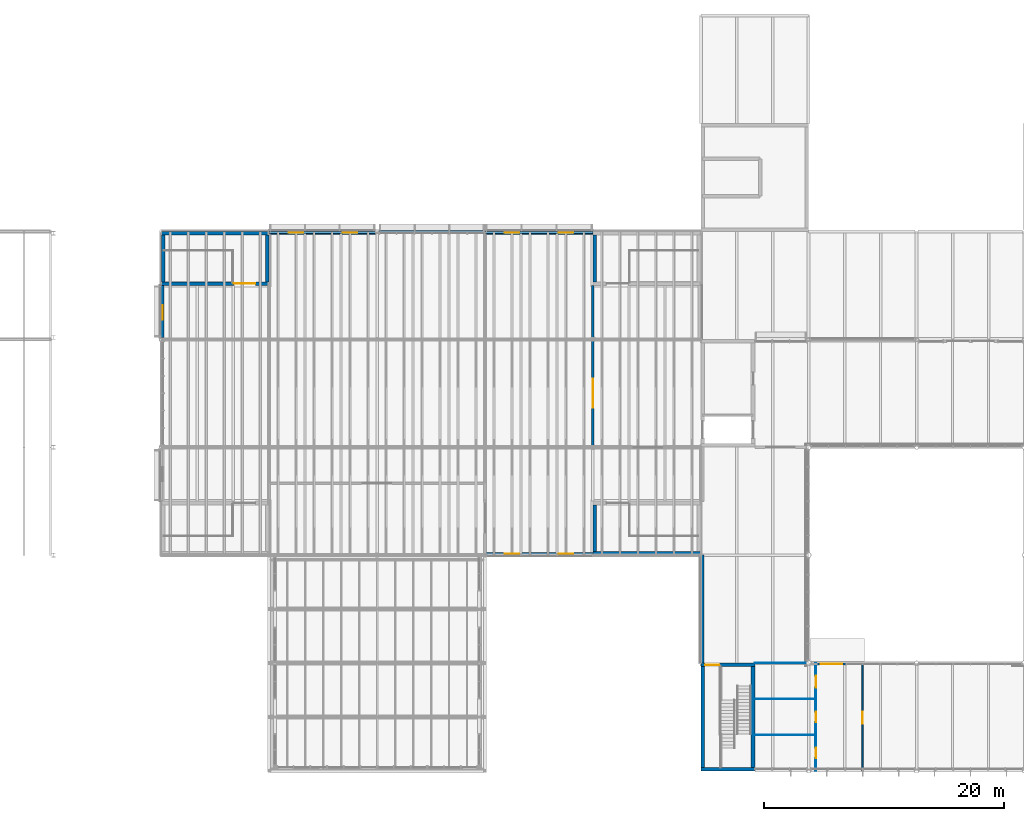
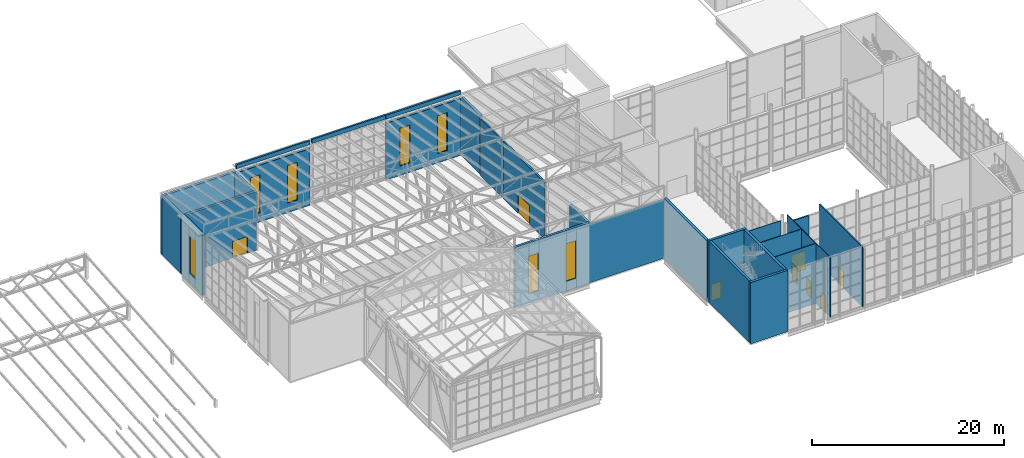
# One storey, part 75 of 90: 29 walls, 8 doors, 7 windows, 15 openings.
"""IFC4 building model written with IfcOpenShell, lengths in metres."""

from ifc_helpers import new_model, si_unit, direction, frame, frame_2d, origin, place, context, subcontext, project, spatial, rectangle, extrude, material, layer, layer_set, type_object, element, fill, save


model = new_model("IFC4")

# Units and contexts
model_context = context("Model", 3, precision=1e-05, world=origin(), true_north=direction((0.0, 1.0)))
body_context = subcontext(model_context, "Body", "Model", "MODEL_VIEW")
ifc_project = project(units=[si_unit("LENGTHUNIT", "METRE"), si_unit("AREAUNIT", "SQUARE_METRE"), si_unit("VOLUMEUNIT", "CUBIC_METRE"), si_unit("PLANEANGLEUNIT", "RADIAN"), si_unit("MASSUNIT", "GRAM", prefix="KILO")], contexts=[model_context])

# Site, building, storey
site_placement = place(None, origin())
site = spatial("IfcSite", under=ifc_project, at=site_placement, CompositionType="ELEMENT")
building_placement = place(site_placement, origin())
building = spatial("IfcBuilding", under=site, at=building_placement, Name="Halyard Row Museum", CompositionType="ELEMENT")
storey_placement = place(building_placement, frame((0.0, 0.0, 13.39990234375)))
storey = spatial("IfcBuildingStorey", under=building, at=storey_placement, Name="L03", CompositionType="ELEMENT", Elevation=13.39990234375)

# Wall
ifc_material_1 = material(Name="Timber battens on insulated steel-stud wall", Category="steel")
ifc_layer_1 = layer(ifc_material_1, 0.320068359375)
ifc_layer_set_1 = layer_set([ifc_layer_1], Name="Timber battens on insulated steel-stud wall")
wall_type_1 = type_object("IfcWallType", Name="Batten rainscreen wall 320 deep reveal", PredefinedType="SOLIDWALL", material=ifc_layer_set_1)
wall_1_placement = place(storey_placement, frame((72.10009765625, 9.0, 0.0), z_axis=(0.0, 0.0, 1.0), x_axis=(0.0, 1.0, 0.0)))
element("IfcWall", 1, at=wall_1_placement, inside=storey, type_object=wall_type_1, Name="Wall WL03-801", PredefinedType="SOLIDWALL", context=body_context, shape_type="SweptSolid", body=[
    extrude(rectangle(XDim=9.0, YDim=0.320068359375, at=frame_2d((4.5, 0.0))), origin(), (0.0, 0.0, 1.0), 7.635009765625),
])

# Wall, opening, door
ifc_material_2 = material(Name="Concrete 40 MPa", Category="concrete")
ifc_layer_2 = layer(ifc_material_2, 0.300048828125)
ifc_layer_set_2 = layer_set([ifc_layer_2], Name="Concrete 40 MPa")
wall_type_2 = type_object("IfcWallType", Name="Exitway wall 300 reinforced concrete", PredefinedType="SOLIDWALL", material=ifc_layer_set_2)
wall_2_placement = place(storey_placement, frame((27.0, 40.64990234375, 0.0), z_axis=(0.0, 0.0, 1.0), x_axis=(1.0, 0.0, 0.0)))
wall_2 = element("IfcWall", 2, at=wall_2_placement, inside=storey, type_object=wall_type_2, Name="Core wall K1A S L03", PredefinedType="SOLIDWALL", context=body_context, shape_type="SweptSolid", body=[
    extrude(rectangle(XDim=9.0, YDim=0.300048828125, at=frame_2d((4.5, 0.0))), origin(), (0.0, 0.0, 1.0), 7.42822265625),
])
opening_1_placement = place(wall_2_placement, frame((6.050048828125, 0.0, 0.0)))
opening_1 = element("IfcOpeningElement", 3, at=opening_1_placement, cuts=wall_2, Name="Opening DL03-001", PredefinedType="OPENING", context=body_context, shape_type="SweptSolid", body=[
    extrude(rectangle(XDim=1.800048828125, YDim=2.10009765625, at=frame_2d((0.89990234375, 1.050048828125))), frame((0.0, 0.159912109375, 0.0), z_axis=(0.0, -1.0, 0.0), x_axis=(1.0, 0.0, 0.0)), (0.0, 0.0, 1.0), 0.320068359375),
])
ifc_material_3 = material(Name="Fire-resisting timber door leaf and steel frame", Category="steel")
door_type_1 = type_object("IfcDoorType", Name="Exitway door 1800 x 2100 fire rated", OperationType="NOTDEFINED", PredefinedType="DOOR", material=ifc_material_3)
door_1_placement = place(opening_1_placement, origin())
door_1 = element("IfcDoor", 4, at=door_1_placement, inside=storey, type_object=door_type_1, Name="Exitway door K1A L03", OperationType="DOUBLE_DOOR_SINGLE_SWING", OverallHeight=2.10009765625, OverallWidth=1.800048828125, PredefinedType="DOOR", context=body_context, shape_type="SweptSolid", body=[
    extrude(rectangle(XDim=1.800048828125, YDim=2.10009765625, at=frame_2d((0.89990234375, 1.050048828125))), frame((0.0, 0.02490234375, 0.0), z_axis=(0.0, -1.0, 0.0), x_axis=(1.0, 0.0, 0.0)), (0.0, 0.0, 1.0), 0.050048828125),
])
fill(opening_1, door_1)

# Walls
wall_3_placement = place(storey_placement, frame((35.85009765625, 40.800048828125, 0.0), z_axis=(0.0, 0.0, 1.0), x_axis=(0.0, 1.0, 0.0)))
element("IfcWall", 5, at=wall_3_placement, inside=storey, type_object=wall_type_2, Name="Core wall K1A E L03", PredefinedType="SOLIDWALL", context=body_context, shape_type="SweptSolid", body=[
    extrude(rectangle(XDim=3.89990234375, YDim=0.300048828125, at=frame_2d((1.949951171875, 0.0))), origin(), (0.0, 0.0, 1.0), 7.42822265625),
])
wall_4_placement = place(storey_placement, frame((27.0, 44.85009765625, 0.0), z_axis=(0.0, 0.0, 1.0), x_axis=(1.0, 0.0, 0.0)))
element("IfcWall", 6, at=wall_4_placement, inside=storey, type_object=wall_type_2, Name="Core wall K1A N L03", PredefinedType="SOLIDWALL", context=body_context, shape_type="SweptSolid", body=[
    extrude(rectangle(XDim=9.0, YDim=0.300048828125, at=frame_2d((4.5, 0.0))), origin(), (0.0, 0.0, 1.0), 7.42822265625),
])
for number, where, z_axis, x_axis, name in (
    (7, (27.14990234375, 40.800048828125, 0.0), (0.0, 0.0, 1.0), (0.0, 1.0, 0.0), "Core wall K1A W L03"),
    (8, (63.14990234375, 40.800048828125, 0.0), (0.0, 0.0, 1.0), (0.0, 1.0, 0.0), "Core wall K1B W L03"),
):
    element("IfcWall", number, at=place(storey_placement, frame(where, z_axis=z_axis, x_axis=x_axis)), inside=storey, type_object=wall_type_2, Name=name, PredefinedType="SOLIDWALL", context=body_context, shape_type="SweptSolid", body=[
        extrude(rectangle(XDim=3.89990234375, YDim=0.300048828125, at=frame_2d((1.949951171875, 0.0))), origin(), (0.0, 0.0, 1.0), 7.42822265625),
    ])
wall_5_placement = place(storey_placement, frame((63.0, 18.14990234375, 0.0), z_axis=(0.0, 0.0, 1.0), x_axis=(1.0, 0.0, 0.0)))
element("IfcWall", 9, at=wall_5_placement, inside=storey, type_object=wall_type_2, Name="Core wall K1C S L03", PredefinedType="SOLIDWALL", context=body_context, shape_type="SweptSolid", body=[
    extrude(rectangle(XDim=9.0, YDim=0.300048828125, at=frame_2d((4.5, 0.0))), origin(), (0.0, 0.0, 1.0), 7.42822265625),
])
wall_6_placement = place(storey_placement, frame((63.14990234375, 18.300048828125, 0.0), z_axis=(0.0, 0.0, 1.0), x_axis=(0.0, 1.0, 0.0)))
element("IfcWall", 10, at=wall_6_placement, inside=storey, type_object=wall_type_2, Name="Core wall K1C W L03", PredefinedType="SOLIDWALL", context=body_context, shape_type="SweptSolid", body=[
    extrude(rectangle(XDim=3.89990234375, YDim=0.300048828125, at=frame_2d((1.949951171875, 0.0))), origin(), (0.0, 0.0, 1.0), 7.42822265625),
])
wall_7_placement = place(storey_placement, frame((72.0, 0.14990234375, 0.0), z_axis=(0.0, 0.0, 1.0), x_axis=(1.0, 0.0, 0.0)))
element("IfcWall", 11, at=wall_7_placement, inside=storey, type_object=wall_type_2, Name="Core wall K2A S L03", PredefinedType="SOLIDWALL", context=body_context, shape_type="SweptSolid", body=[
    extrude(rectangle(XDim=4.5, YDim=0.300048828125, at=frame_2d((2.25, 0.0))), origin(), (0.0, 0.0, 1.0), 7.800048828125),
])
wall_8_placement = place(storey_placement, frame((76.35009765625, 0.300048828125, 0.0), z_axis=(0.0, 0.0, 1.0), x_axis=(0.0, 1.0, 0.0)))
element("IfcWall", 12, at=wall_8_placement, inside=storey, type_object=wall_type_2, Name="Core wall K2A E L03", PredefinedType="SOLIDWALL", context=body_context, shape_type="SweptSolid", body=[
    extrude(rectangle(XDim=8.39990234375, YDim=0.300048828125, at=frame_2d((4.199951171875, 0.0))), origin(), (0.0, 0.0, 1.0), 7.800048828125),
])

# Wall, opening, door
wall_9_placement = place(storey_placement, frame((72.0, 8.85009765625, 0.0), z_axis=(0.0, 0.0, 1.0), x_axis=(1.0, 0.0, 0.0)))
wall_9 = element("IfcWall", 13, at=wall_9_placement, inside=storey, type_object=wall_type_2, Name="Core wall K2A N L03", PredefinedType="SOLIDWALL", context=body_context, shape_type="SweptSolid", body=[
    extrude(rectangle(XDim=4.5, YDim=0.300048828125, at=frame_2d((2.25, 0.0))), origin(), (0.0, 0.0, 1.0), 7.800048828125),
])
opening_2_placement = place(wall_9_placement, frame((0.35009765625, 0.0, 0.0)))
opening_2 = element("IfcOpeningElement", 14, at=opening_2_placement, cuts=wall_9, Name="Opening DL03-005", PredefinedType="OPENING", context=body_context, shape_type="SweptSolid", body=[
    extrude(rectangle(XDim=1.199951171875, YDim=2.10009765625, at=frame_2d((0.60009765625, 1.050048828125))), frame((0.0, 0.159912109375, 0.0), z_axis=(0.0, -1.0, 0.0), x_axis=(1.0, 0.0, 0.0)), (0.0, 0.0, 1.0), 0.320068359375),
])
ifc_material_4 = material(Name="Fire-resisting timber door leaf and steel frame", Category="steel")
door_type_2 = type_object("IfcDoorType", Name="Exitway door 1200 x 2100 fire rated", OperationType="NOTDEFINED", PredefinedType="DOOR", material=ifc_material_4)
door_2_placement = place(opening_2_placement, frame((1.199951171875, 0.0, 0.0), z_axis=(0.0, 0.0, 1.0), x_axis=(-1.0, 0.0, 0.0)))
door_2 = element("IfcDoor", 15, at=door_2_placement, inside=storey, type_object=door_type_2, Name="Exitway door K2A L03", OperationType="SINGLE_SWING_LEFT", OverallHeight=2.10009765625, OverallWidth=1.199951171875, PredefinedType="DOOR", context=body_context, shape_type="SweptSolid", body=[
    extrude(rectangle(XDim=1.199951171875, YDim=2.10009765625, at=frame_2d((0.60009765625, 1.050048828125))), frame((0.0, 0.02490234375, 0.0), z_axis=(0.0, -1.0, 0.0), x_axis=(1.0, 0.0, 0.0)), (0.0, 0.0, 1.0), 0.050048828125),
])
fill(opening_2, door_2)

# Wall
wall_10_placement = place(storey_placement, frame((72.14990234375, 0.300048828125, 0.0), z_axis=(0.0, 0.0, 1.0), x_axis=(0.0, 1.0, 0.0)))
element("IfcWall", 16, at=wall_10_placement, inside=storey, type_object=wall_type_2, Name="Core wall K2A W L03", PredefinedType="SOLIDWALL", context=body_context, shape_type="SweptSolid", body=[
    extrude(rectangle(XDim=8.39990234375, YDim=0.300048828125, at=frame_2d((4.199951171875, 0.0))), origin(), (0.0, 0.0, 1.0), 7.800048828125),
])

# Wall, opening, door
ifc_material_5 = material(Name="Powder-coated aluminium section", Category="aluminium")
ifc_layer_3 = layer(ifc_material_5, 0.199951171875)
ifc_layer_set_3 = layer_set([ifc_layer_3], Name="Powder-coated aluminium section")
wall_type_3 = type_object("IfcWallType", Name="Fire-resisting screen frame 200", PredefinedType="SOLIDWALL", material=ifc_layer_set_3)
wall_11_placement = place(storey_placement, frame((81.699951171875, 8.919921875, 0.0), z_axis=(0.0, 0.0, 1.0), x_axis=(1.0, 0.0, 0.0)))
wall_11 = element("IfcWall", 17, at=wall_11_placement, inside=storey, type_object=wall_type_3, Name="Wall WL03-814", PredefinedType="SOLIDWALL", context=body_context, shape_type="SweptSolid", body=[
    extrude(rectangle(XDim=2.400146484375, YDim=0.199951171875, at=frame_2d((1.2001953125, 0.0))), origin(), (0.0, 0.0, 1.0), 6.732177734375),
])
opening_3_placement = place(wall_11_placement, frame((0.300048828125, 0.0, 0.0)))
opening_3 = element("IfcOpeningElement", 18, at=opening_3_placement, cuts=wall_11, Name="Opening DL03-402", PredefinedType="OPENING", context=body_context, shape_type="SweptSolid", body=[
    extrude(rectangle(XDim=1.800048828125, YDim=2.39990234375, at=frame_2d((0.89990234375, 1.199951171875))), frame((0.0, 0.10986328125, 0.0), z_axis=(0.0, -1.0, 0.0), x_axis=(1.0, 0.0, 0.0)), (0.0, 0.0, 1.0), 0.219970703125),
])
ifc_material_6 = material(Name="Powder-coated aluminium section", Category="aluminium")
door_type_3 = type_object("IfcDoorType", Name="Door DE4 atrium screen 1800 x 2400", OperationType="NOTDEFINED", PredefinedType="DOOR", material=ifc_material_6)
door_3_placement = place(opening_3_placement, frame((1.800048828125, 0.0, 0.0), z_axis=(0.0, 0.0, 1.0), x_axis=(-1.0, 0.0, 0.0)))
door_3 = element("IfcDoor", 19, at=door_3_placement, inside=storey, type_object=door_type_3, Name="Door DL03-402", OperationType="DOUBLE_DOOR_SINGLE_SWING", OverallHeight=2.39990234375, OverallWidth=1.800048828125, PredefinedType="DOOR", context=body_context, shape_type="SweptSolid", body=[
    extrude(rectangle(XDim=1.800048828125, YDim=2.39990234375, at=frame_2d((0.89990234375, 1.199951171875))), frame((0.0, 0.02490234375, 0.0), z_axis=(0.0, -1.0, 0.0), x_axis=(1.0, 0.0, 0.0)), (0.0, 0.0, 1.0), 0.050048828125),
])
fill(opening_3, door_3)

ifc_material_7 = material(Name="Plasterboard on steel studs with mineral wool", Category="steel")
ifc_layer_4 = layer(ifc_material_7, 0.199951171875)
ifc_layer_set_4 = layer_set([ifc_layer_4], Name="Plasterboard on steel studs with mineral wool")
wall_type_4 = type_object("IfcWallType", Name="Gallery wall 200 double stud fire rated", PredefinedType="PARTITIONING", material=ifc_layer_set_4)
wall_12_placement = place(storey_placement, frame((63.0, 27.154052734375, 0.0), z_axis=(0.0, 0.0, 1.0), x_axis=(0.0, 1.0, 0.0)))
wall_12 = element("IfcWall", 20, at=wall_12_placement, inside=storey, type_object=wall_type_4, Name="Partition Grand Gallery / Lift Lobby L03 West", PredefinedType="PARTITIONING", context=body_context, shape_type="SweptSolid", body=[
    extrude(rectangle(XDim=8.69189453125, YDim=0.199951171875, at=frame_2d((4.345947265625, 0.0))), origin(), (0.0, 0.0, 1.0), 7.232421875),
])
opening_4_placement = place(wall_12_placement, frame((3.14990234375, 0.0, 0.0)))
opening_4 = element("IfcOpeningElement", 21, at=opening_4_placement, cuts=wall_12, Name="Opening DL03-013", PredefinedType="OPENING", context=body_context, shape_type="SweptSolid", body=[
    extrude(rectangle(XDim=2.39990234375, YDim=2.39990234375, at=frame_2d((1.199951171875, 1.199951171875))), frame((0.0, 0.10986328125, 0.0), z_axis=(0.0, -1.0, 0.0), x_axis=(1.0, 0.0, 0.0)), (0.0, 0.0, 1.0), 0.219970703125),
])
ifc_material_8 = material(Name="Timber veneered door leaf and softwood frame", Category="wood")
door_type_4 = type_object("IfcDoorType", Name="Double door 2400 x 2400 gallery fire rated", OperationType="NOTDEFINED", PredefinedType="DOOR", material=ifc_material_8)
door_4_placement = place(opening_4_placement, origin())
door_4 = element("IfcDoor", 22, at=door_4_placement, inside=storey, type_object=door_type_4, Name="Door Grand Gallery to Lift Lobby L03 West", OperationType="DOUBLE_DOOR_SINGLE_SWING", OverallHeight=2.39990234375, OverallWidth=2.39990234375, PredefinedType="DOOR", context=body_context, shape_type="SweptSolid", body=[
    extrude(rectangle(XDim=2.39990234375, YDim=2.39990234375, at=frame_2d((1.199951171875, 1.199951171875))), frame((0.0, 0.02490234375, 0.0), z_axis=(0.0, -1.0, 0.0), x_axis=(1.0, 0.0, 0.0)), (0.0, 0.0, 1.0), 0.050048828125),
])
fill(opening_4, door_4)

# Walls
wall_13_placement = place(storey_placement, frame((63.0, 36.154052734375, 0.0), z_axis=(0.0, 0.0, 1.0), x_axis=(0.0, 1.0, 0.0)))
element("IfcWall", 23, at=wall_13_placement, inside=storey, type_object=wall_type_4, Name="Partition Grand Gallery / Lift Lobby L03 West", PredefinedType="PARTITIONING", context=body_context, shape_type="SweptSolid", body=[
    extrude(rectangle(XDim=4.345947265625, YDim=0.199951171875, at=frame_2d((2.1728515625, 0.0))), origin(), (0.0, 0.0, 1.0), 7.232421875),
])
ifc_material_9 = material(Name="Fire-retardant timber rainscreen on insulated steel-stud wall", Category="steel")
ifc_layer_5 = layer(ifc_material_9, 0.199951171875)
ifc_layer_set_5 = layer_set([ifc_layer_5], Name="Fire-retardant timber rainscreen on insulated steel-stud wall")
wall_type_5 = type_object("IfcWallType", Name="Parapet 200 timber-clad", PredefinedType="PARAPET", material=ifc_layer_set_5)
wall_14_placement = place(storey_placement, frame((54.0, 44.909912109375, 7.67822265625), z_axis=(0.0, 0.0, 1.0), x_axis=(1.0, 0.0, 0.0)))
element("IfcWall", 24, at=wall_14_placement, inside=storey, type_object=wall_type_5, Name="Wall PAL03-50", PredefinedType="PARAPET", context=body_context, shape_type="SweptSolid", body=[
    extrude(rectangle(XDim=9.0, YDim=0.199951171875, at=frame_2d((4.5, 0.0))), origin(), (0.0, 0.0, 1.0), 0.52197265625),
])
for number, where, z_axis, x_axis, name in (
    (25, (36.0, 44.909912109375, 7.67822265625), (0.0, 0.0, 1.0), (1.0, 0.0, 0.0), "Wall PAL03-51"),
    (26, (45.14990234375, 44.9599609375, 7.67822265625), (0.0, 0.0, 1.0), (1.0, 0.0, 0.0), "Wall PAL03-52"),
):
    element("IfcWall", number, at=place(storey_placement, frame(where, z_axis=z_axis, x_axis=x_axis)), inside=storey, type_object=wall_type_5, Name=name, PredefinedType="PARAPET", context=body_context, shape_type="SweptSolid", body=[
        extrude(rectangle(XDim=8.85009765625, YDim=0.199951171875, at=frame_2d((4.425048828125, 0.0))), origin(), (0.0, 0.0, 1.0), 0.52197265625),
    ])

# Wall, openings, windows
ifc_material_10 = material(Name="Fire-retardant timber rainscreen on insulated steel-stud wall", Category="steel")
ifc_layer_6 = layer(ifc_material_10, 0.300048828125)
ifc_layer_set_6 = layer_set([ifc_layer_6], Name="Fire-retardant timber rainscreen on insulated steel-stud wall")
wall_type_6 = type_object("IfcWallType", Name="Rainscreen wall 300 timber-clad", PredefinedType="SOLIDWALL", material=ifc_layer_set_6)
wall_15_placement = place(storey_placement, frame((54.0, 18.090087890625, 0.0), z_axis=(0.0, 0.0, 1.0), x_axis=(1.0, 0.0, 0.0)))
wall_15 = element("IfcWall", 27, at=wall_15_placement, inside=storey, type_object=wall_type_6, Name="Wall WL03-800", PredefinedType="SOLIDWALL", context=body_context, shape_type="SweptSolid", body=[
    extrude(rectangle(XDim=9.0, YDim=0.300048828125, at=frame_2d((4.5, 0.0))), origin(), (0.0, 0.0, 1.0), 7.67822265625),
])
opening_5_placement = place(wall_15_placement, frame((1.64990234375, 0.0, 1.199951171875)))
opening_5 = element("IfcOpeningElement", 28, at=opening_5_placement, cuts=wall_15, Name="Opening WNL03-800", PredefinedType="OPENING", context=body_context, shape_type="SweptSolid", body=[
    extrude(rectangle(XDim=1.199951171875, YDim=4.800048828125, at=frame_2d((0.60009765625, 2.39990234375))), frame((0.0, 0.159912109375, 0.0), z_axis=(0.0, -1.0, 0.0), x_axis=(1.0, 0.0, 0.0)), (0.0, 0.0, 1.0), 0.320068359375),
])
opening_6_placement = place(wall_15_placement, frame((6.14990234375, 0.0, 1.199951171875)))
opening_6 = element("IfcOpeningElement", 29, at=opening_6_placement, cuts=wall_15, Name="Opening WNL03-801", PredefinedType="OPENING", context=body_context, shape_type="SweptSolid", body=[
    extrude(rectangle(XDim=1.199951171875, YDim=4.800048828125, at=frame_2d((0.60009765625, 2.39990234375))), frame((0.0, 0.159912109375, 0.0), z_axis=(0.0, -1.0, 0.0), x_axis=(1.0, 0.0, 0.0)), (0.0, 0.0, 1.0), 0.320068359375),
])
ifc_material_11 = material(Name="Double glazed unit, low-emissivity", Category="glass")
window_type = type_object("IfcWindowType", Name="Window WN2 1200 x 4800", PartitioningType="SINGLE_PANEL", PredefinedType="WINDOW", material=ifc_material_11)
window_1_placement = place(opening_5_placement, origin())
window_1 = element("IfcWindow", 30, at=window_1_placement, inside=storey, type_object=window_type, Name="Window WNL03-800", OverallHeight=4.800048828125, OverallWidth=1.199951171875, PartitioningType="SINGLE_PANEL", PredefinedType="WINDOW", context=body_context, shape_type="SweptSolid", body=[
    extrude(rectangle(XDim=1.199951171875, YDim=4.800048828125, at=frame_2d((0.60009765625, 2.39990234375))), frame((0.0, 0.030029296875, 0.0), z_axis=(0.0, -1.0, 0.0), x_axis=(1.0, 0.0, 0.0)), (0.0, 0.0, 1.0), 0.06005859375),
])
fill(opening_5, window_1)
window_2_placement = place(opening_6_placement, origin())
window_2 = element("IfcWindow", 31, at=window_2_placement, inside=storey, type_object=window_type, Name="Window WNL03-801", OverallHeight=4.800048828125, OverallWidth=1.199951171875, PartitioningType="SINGLE_PANEL", PredefinedType="WINDOW", context=body_context, shape_type="SweptSolid", body=[
    extrude(rectangle(XDim=1.199951171875, YDim=4.800048828125, at=frame_2d((0.60009765625, 2.39990234375))), frame((0.0, 0.030029296875, 0.0), z_axis=(0.0, -1.0, 0.0), x_axis=(1.0, 0.0, 0.0)), (0.0, 0.0, 1.0), 0.06005859375),
])
fill(opening_6, window_2)

wall_16_placement = place(storey_placement, frame((54.0, 44.909912109375, 0.0), z_axis=(0.0, 0.0, 1.0), x_axis=(1.0, 0.0, 0.0)))
wall_16 = element("IfcWall", 32, at=wall_16_placement, inside=storey, type_object=wall_type_6, Name="Wall WL03-805", PredefinedType="SOLIDWALL", context=body_context, shape_type="SweptSolid", body=[
    extrude(rectangle(XDim=9.0, YDim=0.300048828125, at=frame_2d((4.5, 0.0))), origin(), (0.0, 0.0, 1.0), 7.2197265625),
])
opening_7_placement = place(wall_16_placement, frame((1.64990234375, 0.0, 1.199951171875)))
opening_7 = element("IfcOpeningElement", 33, at=opening_7_placement, cuts=wall_16, Name="Opening WNL03-802", PredefinedType="OPENING", context=body_context, shape_type="SweptSolid", body=[
    extrude(rectangle(XDim=1.199951171875, YDim=4.800048828125, at=frame_2d((0.60009765625, 2.39990234375))), frame((0.0, 0.159912109375, 0.0), z_axis=(0.0, -1.0, 0.0), x_axis=(1.0, 0.0, 0.0)), (0.0, 0.0, 1.0), 0.320068359375),
])
opening_8_placement = place(wall_16_placement, frame((6.14990234375, 0.0, 1.199951171875)))
opening_8 = element("IfcOpeningElement", 34, at=opening_8_placement, cuts=wall_16, Name="Opening WNL03-803", PredefinedType="OPENING", context=body_context, shape_type="SweptSolid", body=[
    extrude(rectangle(XDim=1.199951171875, YDim=4.800048828125, at=frame_2d((0.60009765625, 2.39990234375))), frame((0.0, 0.159912109375, 0.0), z_axis=(0.0, -1.0, 0.0), x_axis=(1.0, 0.0, 0.0)), (0.0, 0.0, 1.0), 0.320068359375),
])
window_3_placement = place(opening_7_placement, origin())
window_3 = element("IfcWindow", 35, at=window_3_placement, inside=storey, type_object=window_type, Name="Window WNL03-802", OverallHeight=4.800048828125, OverallWidth=1.199951171875, PartitioningType="SINGLE_PANEL", PredefinedType="WINDOW", context=body_context, shape_type="SweptSolid", body=[
    extrude(rectangle(XDim=1.199951171875, YDim=4.800048828125, at=frame_2d((0.60009765625, 2.39990234375))), frame((0.0, 0.030029296875, 0.0), z_axis=(0.0, -1.0, 0.0), x_axis=(1.0, 0.0, 0.0)), (0.0, 0.0, 1.0), 0.06005859375),
])
fill(opening_7, window_3)
window_4_placement = place(opening_8_placement, origin())
window_4 = element("IfcWindow", 36, at=window_4_placement, inside=storey, type_object=window_type, Name="Window WNL03-803", OverallHeight=4.800048828125, OverallWidth=1.199951171875, PartitioningType="SINGLE_PANEL", PredefinedType="WINDOW", context=body_context, shape_type="SweptSolid", body=[
    extrude(rectangle(XDim=1.199951171875, YDim=4.800048828125, at=frame_2d((0.60009765625, 2.39990234375))), frame((0.0, 0.030029296875, 0.0), z_axis=(0.0, -1.0, 0.0), x_axis=(1.0, 0.0, 0.0)), (0.0, 0.0, 1.0), 0.06005859375),
])
fill(opening_8, window_4)

wall_17_placement = place(storey_placement, frame((36.0, 44.909912109375, 0.0), z_axis=(0.0, 0.0, 1.0), x_axis=(1.0, 0.0, 0.0)))
wall_17 = element("IfcWall", 37, at=wall_17_placement, inside=storey, type_object=wall_type_6, Name="Wall WL03-806", PredefinedType="SOLIDWALL", context=body_context, shape_type="SweptSolid", body=[
    extrude(rectangle(XDim=8.85009765625, YDim=0.300048828125, at=frame_2d((4.425048828125, 0.0))), origin(), (0.0, 0.0, 1.0), 7.2197265625),
])
opening_9_placement = place(wall_17_placement, frame((1.64990234375, 0.0, 1.199951171875)))
opening_9 = element("IfcOpeningElement", 38, at=opening_9_placement, cuts=wall_17, Name="Opening WNL03-804", PredefinedType="OPENING", context=body_context, shape_type="SweptSolid", body=[
    extrude(rectangle(XDim=1.199951171875, YDim=4.800048828125, at=frame_2d((0.60009765625, 2.39990234375))), frame((0.0, 0.159912109375, 0.0), z_axis=(0.0, -1.0, 0.0), x_axis=(1.0, 0.0, 0.0)), (0.0, 0.0, 1.0), 0.320068359375),
])
opening_10_placement = place(wall_17_placement, frame((6.14990234375, 0.0, 1.199951171875)))
opening_10 = element("IfcOpeningElement", 39, at=opening_10_placement, cuts=wall_17, Name="Opening WNL03-805", PredefinedType="OPENING", context=body_context, shape_type="SweptSolid", body=[
    extrude(rectangle(XDim=1.199951171875, YDim=4.800048828125, at=frame_2d((0.60009765625, 2.39990234375))), frame((0.0, 0.159912109375, 0.0), z_axis=(0.0, -1.0, 0.0), x_axis=(1.0, 0.0, 0.0)), (0.0, 0.0, 1.0), 0.320068359375),
])
window_5_placement = place(opening_9_placement, origin())
window_5 = element("IfcWindow", 40, at=window_5_placement, inside=storey, type_object=window_type, Name="Window WNL03-804", OverallHeight=4.800048828125, OverallWidth=1.199951171875, PartitioningType="SINGLE_PANEL", PredefinedType="WINDOW", context=body_context, shape_type="SweptSolid", body=[
    extrude(rectangle(XDim=1.199951171875, YDim=4.800048828125, at=frame_2d((0.60009765625, 2.39990234375))), frame((0.0, 0.030029296875, 0.0), z_axis=(0.0, -1.0, 0.0), x_axis=(1.0, 0.0, 0.0)), (0.0, 0.0, 1.0), 0.06005859375),
])
fill(opening_9, window_5)
window_6_placement = place(opening_10_placement, origin())
window_6 = element("IfcWindow", 41, at=window_6_placement, inside=storey, type_object=window_type, Name="Window WNL03-805", OverallHeight=4.800048828125, OverallWidth=1.199951171875, PartitioningType="SINGLE_PANEL", PredefinedType="WINDOW", context=body_context, shape_type="SweptSolid", body=[
    extrude(rectangle(XDim=1.199951171875, YDim=4.800048828125, at=frame_2d((0.60009765625, 2.39990234375))), frame((0.0, 0.030029296875, 0.0), z_axis=(0.0, -1.0, 0.0), x_axis=(1.0, 0.0, 0.0)), (0.0, 0.0, 1.0), 0.06005859375),
])
fill(opening_10, window_6)

# Wall, opening, window
wall_18_placement = place(storey_placement, frame((27.090087890625, 36.14990234375, 0.0), z_axis=(0.0, 0.0, 1.0), x_axis=(0.0, 1.0, 0.0)))
wall_18 = element("IfcWall", 42, at=wall_18_placement, inside=storey, type_object=wall_type_6, Name="Wall WL03-807", PredefinedType="SOLIDWALL", context=body_context, shape_type="SweptSolid", body=[
    extrude(rectangle(XDim=4.35009765625, YDim=0.300048828125, at=frame_2d((2.175048828125, 0.0))), origin(), (0.0, 0.0, 1.0), 7.67822265625),
])
opening_11_placement = place(wall_18_placement, frame((1.5, 0.0, 1.199951171875)))
opening_11 = element("IfcOpeningElement", 43, at=opening_11_placement, cuts=wall_18, Name="Opening WNL03-806", PredefinedType="OPENING", context=body_context, shape_type="SweptSolid", body=[
    extrude(rectangle(XDim=1.199951171875, YDim=4.800048828125, at=frame_2d((0.60009765625, 2.39990234375))), frame((0.0, 0.159912109375, 0.0), z_axis=(0.0, -1.0, 0.0), x_axis=(1.0, 0.0, 0.0)), (0.0, 0.0, 1.0), 0.320068359375),
])
window_7_placement = place(opening_11_placement, origin())
window_7 = element("IfcWindow", 44, at=window_7_placement, inside=storey, type_object=window_type, Name="Window WNL03-806", OverallHeight=4.800048828125, OverallWidth=1.199951171875, PartitioningType="SINGLE_PANEL", PredefinedType="WINDOW", context=body_context, shape_type="SweptSolid", body=[
    extrude(rectangle(XDim=1.199951171875, YDim=4.800048828125, at=frame_2d((0.60009765625, 2.39990234375))), frame((0.0, 0.030029296875, 0.0), z_axis=(0.0, -1.0, 0.0), x_axis=(1.0, 0.0, 0.0)), (0.0, 0.0, 1.0), 0.06005859375),
])
fill(opening_11, window_7)

# Wall, opening, door
ifc_material_12 = material(Name="Plasterboard on steel studs with mineral wool", Category="steel")
ifc_layer_7 = layer(ifc_material_12, 0.125)
ifc_layer_set_7 = layer_set([ifc_layer_7], Name="Plasterboard on steel studs with mineral wool")
wall_type_7 = type_object("IfcWallType", Name="Stud partition 125 fire rated", PredefinedType="PARTITIONING", material=ifc_layer_set_7)
wall_19_placement = place(storey_placement, frame((85.5, 0.0, 0.0), z_axis=(0.0, 0.0, 1.0), x_axis=(0.0, 1.0, 0.0)))
wall_19 = element("IfcWall", 45, at=wall_19_placement, inside=storey, type_object=wall_type_7, Name="Partition Permanent Gallery Contemporary / WC Lobby L03", PredefinedType="PARTITIONING", context=body_context, shape_type="SweptSolid", body=[
    extrude(rectangle(XDim=9.0, YDim=0.125, at=frame_2d((4.5, 0.0))), origin(), (0.0, 0.0, 1.0), 7.635009765625),
])
opening_12_placement = place(wall_19_placement, frame((3.949951171875, 0.0, 0.0)))
opening_12 = element("IfcOpeningElement", 46, at=opening_12_placement, cuts=wall_19, Name="Opening DL03-017", PredefinedType="OPENING", context=body_context, shape_type="SweptSolid", body=[
    extrude(rectangle(XDim=1.0, YDim=2.10009765625, at=frame_2d((0.5, 1.050048828125))), frame((0.0, 0.072509765625, 0.0), z_axis=(0.0, -1.0, 0.0), x_axis=(1.0, 0.0, 0.0)), (0.0, 0.0, 1.0), 0.14501953125),
])
ifc_material_13 = material(Name="Timber veneered door leaf and softwood frame", Category="wood")
door_type_5 = type_object("IfcDoorType", Name="Single door 1000 x 2100 fire rated", OperationType="NOTDEFINED", PredefinedType="DOOR", material=ifc_material_13)
door_5_placement = place(opening_12_placement, origin())
door_5 = element("IfcDoor", 47, at=door_5_placement, inside=storey, type_object=door_type_5, Name="Door WC Lobby L03 to Permanent Gallery Contemporary", OperationType="SINGLE_SWING_RIGHT", OverallHeight=2.10009765625, OverallWidth=1.0, PredefinedType="DOOR", context=body_context, shape_type="SweptSolid", body=[
    extrude(rectangle(XDim=1.0, YDim=2.10009765625, at=frame_2d((0.5, 1.050048828125))), frame((0.0, 0.02490234375, 0.0), z_axis=(0.0, -1.0, 0.0), x_axis=(1.0, 0.0, 0.0)), (0.0, 0.0, 1.0), 0.050048828125),
])
fill(opening_12, door_5)

# Walls
ifc_material_14 = material(Name="Plasterboard on steel studs with mineral wool", Category="steel")
ifc_layer_8 = layer(ifc_material_14, 0.074951171875)
ifc_layer_set_8 = layer_set([ifc_layer_8], Name="Plasterboard on steel studs with mineral wool")
wall_type_8 = type_object("IfcWallType", Name="WC cubicle partition 75", PredefinedType="PARTITIONING", material=ifc_layer_set_8)
wall_20_placement = place(storey_placement, frame((76.5, 9.0, 0.0), z_axis=(0.0, 0.0, 1.0), x_axis=(1.0, 0.0, 0.0)))
element("IfcWall", 48, at=wall_20_placement, inside=storey, type_object=wall_type_8, Name="Partition Permanent Gallery Pacific Art / Accessible WC L03", PredefinedType="PARTITIONING", context=body_context, shape_type="SweptSolid", body=[
    extrude(rectangle(XDim=4.296875, YDim=0.074951171875, at=frame_2d((2.1484375, 0.0))), origin(), (0.0, 0.0, 1.0), 7.1748046875),
])
for number, where, z_axis, x_axis, name in (
    (49, (76.5, 3.0, 0.0), (0.0, 0.0, 1.0), (1.0, 0.0, 0.0), "Partition WC Women L03 / WC Men L03"),
    (50, (76.5, 6.0, 0.0), (0.0, 0.0, 1.0), (1.0, 0.0, 0.0), "Partition WC Men L03 / Accessible WC L03"),
):
    element("IfcWall", number, at=place(storey_placement, frame(where, z_axis=z_axis, x_axis=x_axis)), inside=storey, type_object=wall_type_8, Name=name, PredefinedType="PARTITIONING", context=body_context, shape_type="SweptSolid", body=[
        extrude(rectangle(XDim=5.10009765625, YDim=0.074951171875, at=frame_2d((2.550048828125, 0.0))), origin(), (0.0, 0.0, 1.0), 7.635009765625),
    ])

# Wall, opening, door
ifc_material_15 = material(Name="Plasterboard on steel studs with mineral wool", Category="steel")
ifc_layer_9 = layer(ifc_material_15, 0.074951171875)
ifc_layer_set_9 = layer_set([ifc_layer_9], Name="Plasterboard on steel studs with mineral wool")
wall_type_9 = type_object("IfcWallType", Name="WC cubicle partition 75 fire rated", PredefinedType="PARTITIONING", material=ifc_layer_set_9)
wall_21_placement = place(storey_placement, frame((81.60009765625, 0.0, 0.0), z_axis=(0.0, 0.0, 1.0), x_axis=(0.0, 1.0, 0.0)))
wall_21 = element("IfcWall", 51, at=wall_21_placement, inside=storey, type_object=wall_type_9, Name="Partition WC Lobby L03 / WC Women L03", PredefinedType="PARTITIONING", context=body_context, shape_type="SweptSolid", body=[
    extrude(rectangle(XDim=3.0, YDim=0.074951171875, at=frame_2d((1.5, 0.0))), origin(), (0.0, 0.0, 1.0), 7.635009765625),
])
opening_13_placement = place(wall_21_placement, frame((1.050048828125, 0.0, 0.0)))
opening_13 = element("IfcOpeningElement", 52, at=opening_13_placement, cuts=wall_21, Name="Opening DL03-018", PredefinedType="OPENING", context=body_context, shape_type="SweptSolid", body=[
    extrude(rectangle(XDim=0.89990234375, YDim=2.10009765625, at=frame_2d((0.449951171875, 1.050048828125))), frame((0.0, 0.04736328125, 0.0), z_axis=(0.0, -1.0, 0.0), x_axis=(1.0, 0.0, 0.0)), (0.0, 0.0, 1.0), 0.094970703125),
])
ifc_material_16 = material(Name="Timber veneered door leaf and softwood frame", Category="wood")
door_type_6 = type_object("IfcDoorType", Name="Single door 900 x 2100 fire rated", OperationType="NOTDEFINED", PredefinedType="DOOR", material=ifc_material_16)
door_6_placement = place(opening_13_placement, origin())
door_6 = element("IfcDoor", 53, at=door_6_placement, inside=storey, type_object=door_type_6, Name="Door WC Women L03 to WC Lobby L03", OperationType="SINGLE_SWING_LEFT", OverallHeight=2.10009765625, OverallWidth=0.89990234375, PredefinedType="DOOR", context=body_context, shape_type="SweptSolid", body=[
    extrude(rectangle(XDim=0.89990234375, YDim=2.10009765625, at=frame_2d((0.449951171875, 1.050048828125))), frame((0.0, 0.02490234375, 0.0), z_axis=(0.0, -1.0, 0.0), x_axis=(1.0, 0.0, 0.0)), (0.0, 0.0, 1.0), 0.050048828125),
])
fill(opening_13, door_6)

wall_22_placement = place(storey_placement, frame((81.60009765625, 3.0, 0.0), z_axis=(0.0, 0.0, 1.0), x_axis=(0.0, 1.0, 0.0)))
wall_22 = element("IfcWall", 54, at=wall_22_placement, inside=storey, type_object=wall_type_9, Name="Partition WC Lobby L03 / WC Men L03", PredefinedType="PARTITIONING", context=body_context, shape_type="SweptSolid", body=[
    extrude(rectangle(XDim=3.0, YDim=0.074951171875, at=frame_2d((1.5, 0.0))), origin(), (0.0, 0.0, 1.0), 7.635009765625),
])
opening_14_placement = place(wall_22_placement, frame((1.050048828125, 0.0, 0.0)))
opening_14 = element("IfcOpeningElement", 55, at=opening_14_placement, cuts=wall_22, Name="Opening DL03-019", PredefinedType="OPENING", context=body_context, shape_type="SweptSolid", body=[
    extrude(rectangle(XDim=0.89990234375, YDim=2.10009765625, at=frame_2d((0.449951171875, 1.050048828125))), frame((0.0, 0.04736328125, 0.0), z_axis=(0.0, -1.0, 0.0), x_axis=(1.0, 0.0, 0.0)), (0.0, 0.0, 1.0), 0.094970703125),
])
door_7_placement = place(opening_14_placement, origin())
door_7 = element("IfcDoor", 56, at=door_7_placement, inside=storey, type_object=door_type_6, Name="Door WC Men L03 to WC Lobby L03", OperationType="SINGLE_SWING_RIGHT", OverallHeight=2.10009765625, OverallWidth=0.89990234375, PredefinedType="DOOR", context=body_context, shape_type="SweptSolid", body=[
    extrude(rectangle(XDim=0.89990234375, YDim=2.10009765625, at=frame_2d((0.449951171875, 1.050048828125))), frame((0.0, 0.02490234375, 0.0), z_axis=(0.0, -1.0, 0.0), x_axis=(1.0, 0.0, 0.0)), (0.0, 0.0, 1.0), 0.050048828125),
])
fill(opening_14, door_7)

wall_23_placement = place(storey_placement, frame((81.60009765625, 6.0, 0.0), z_axis=(0.0, 0.0, 1.0), x_axis=(0.0, 1.0, 0.0)))
wall_23 = element("IfcWall", 57, at=wall_23_placement, inside=storey, type_object=wall_type_9, Name="Partition WC Lobby L03 / Accessible WC L03", PredefinedType="PARTITIONING", context=body_context, shape_type="SweptSolid", body=[
    extrude(rectangle(XDim=3.0, YDim=0.074951171875, at=frame_2d((1.5, 0.0))), origin(), (0.0, 0.0, 1.0), 7.635009765625),
])
opening_15_placement = place(wall_23_placement, frame((0.949951171875, 0.0, 0.0)))
opening_15 = element("IfcOpeningElement", 58, at=opening_15_placement, cuts=wall_23, Name="Opening DL03-020", PredefinedType="OPENING", context=body_context, shape_type="SweptSolid", body=[
    extrude(rectangle(XDim=1.0, YDim=2.10009765625, at=frame_2d((0.5, 1.050048828125))), frame((0.0, 0.04736328125, 0.0), z_axis=(0.0, -1.0, 0.0), x_axis=(1.0, 0.0, 0.0)), (0.0, 0.0, 1.0), 0.094970703125),
])
door_8_placement = place(opening_15_placement, origin())
door_8 = element("IfcDoor", 59, at=door_8_placement, inside=storey, type_object=door_type_5, Name="Door Accessible WC L03 to WC Lobby L03", OperationType="SINGLE_SWING_LEFT", OverallHeight=2.10009765625, OverallWidth=1.0, PredefinedType="DOOR", context=body_context, shape_type="SweptSolid", body=[
    extrude(rectangle(XDim=1.0, YDim=2.10009765625, at=frame_2d((0.5, 1.050048828125))), frame((0.0, 0.02490234375, 0.0), z_axis=(0.0, -1.0, 0.0), x_axis=(1.0, 0.0, 0.0)), (0.0, 0.0, 1.0), 0.050048828125),
])
fill(opening_15, door_8)

save(model, "model.ifc")
